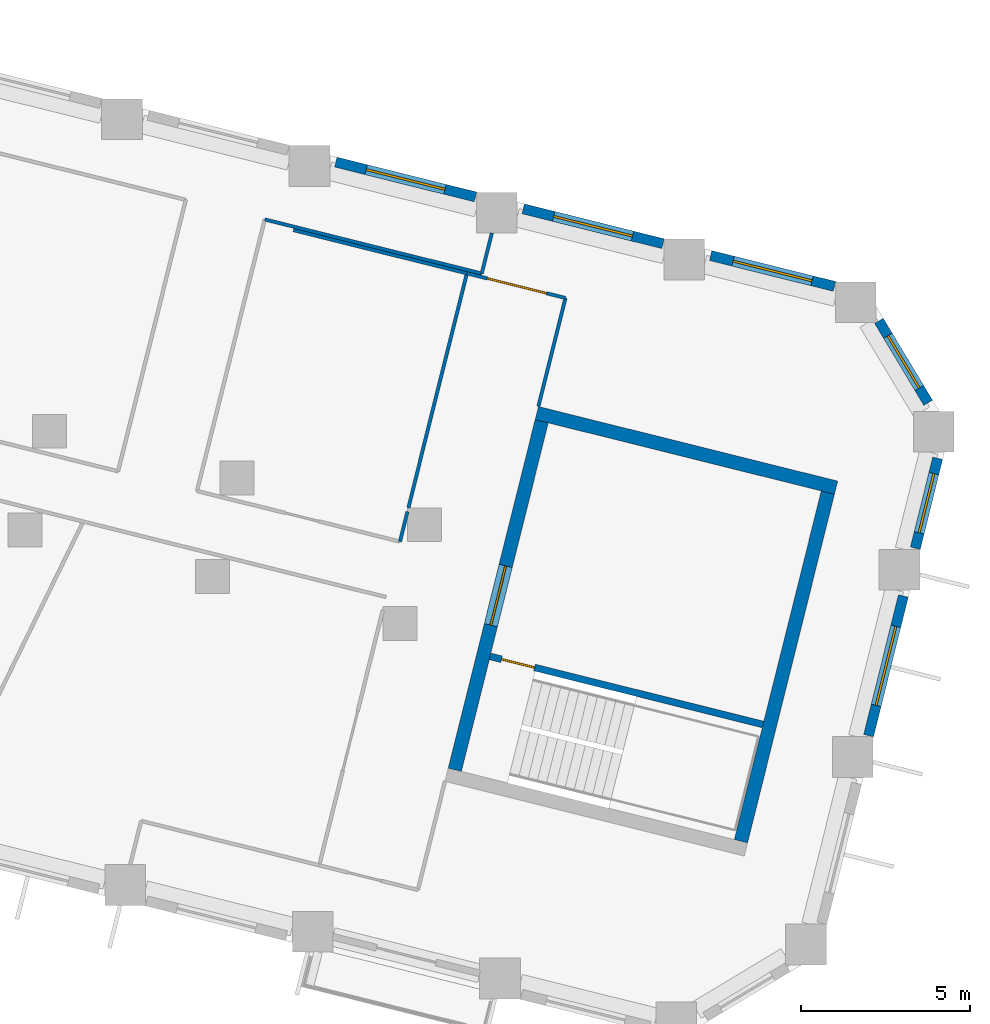
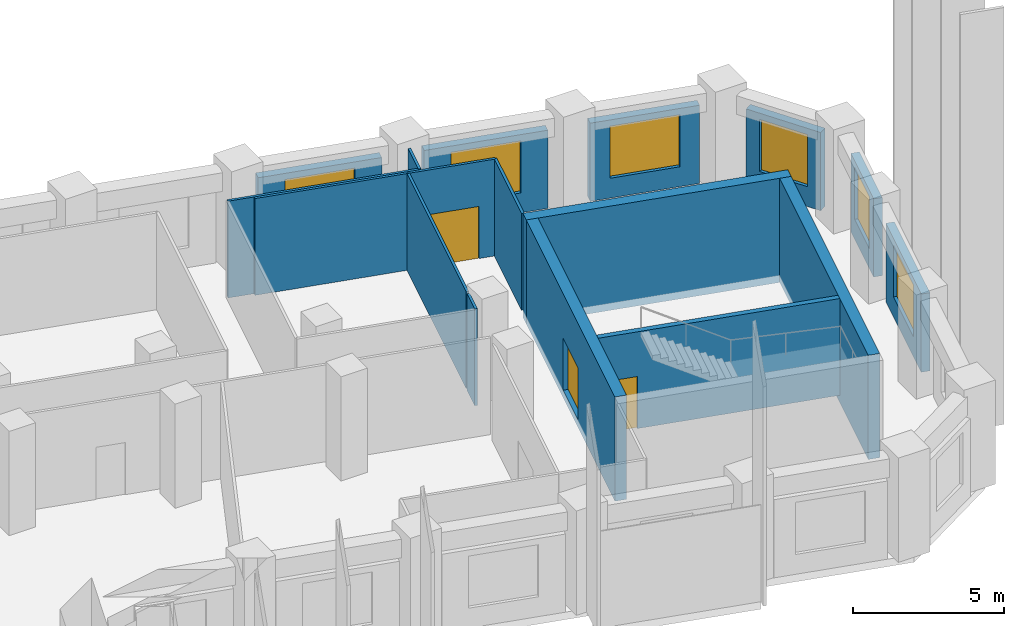
# One storey, part 7 of 10: 17 walls, 6 windows, 3 doors, 9 openings.
"""IFC4 building model written with IfcOpenShell, lengths in metres."""

from ifc_helpers import new_model, si_unit, direction, frame, frame_2d, origin, place, context, subcontext, project, spatial, rectangle, extrude, material, layer, layer_set, type_object, element, fill, save


model = new_model("IFC4")

# Units and contexts
model_context = context("Model", 3, precision=1e-05, world=origin(), true_north=direction((0.0, 1.0)))
body_context = subcontext(model_context, "Body", "Model", "MODEL_VIEW")
ifc_project = project(units=[si_unit("LENGTHUNIT", "METRE"), si_unit("AREAUNIT", "SQUARE_METRE"), si_unit("VOLUMEUNIT", "CUBIC_METRE"), si_unit("PLANEANGLEUNIT", "RADIAN"), si_unit("MASSUNIT", "GRAM", prefix="KILO")], contexts=[model_context])

# Site, building, storey
site_placement = place(None, origin())
site = spatial("IfcSite", under=ifc_project, at=site_placement, CompositionType="ELEMENT")
building_placement = place(site_placement, origin())
building = spatial("IfcBuilding", under=site, at=building_placement, Name="Meshkara Civic Tower", CompositionType="ELEMENT")
storey_placement = place(building_placement, frame((0.0, 0.0, 195.0)))
storey = spatial("IfcBuildingStorey", under=building, at=storey_placement, Name="L44", CompositionType="ELEMENT", Elevation=195.0)

# Walls
ifc_material_1 = material(Name="Corridor wall 100")
ifc_layer_1 = layer(ifc_material_1, 0.10009765625)
ifc_layer_set_1 = layer_set([ifc_layer_1], Name="Corridor wall 100")
wall_type_1 = type_object("IfcWallType", Name="Corridor wall 100", PredefinedType="PARTITIONING", material=ifc_layer_set_1)
wall_1_placement = place(storey_placement, frame((59.68408203125, 6.24609375, 0.0), z_axis=(0.0, 0.0, 1.0), x_axis=(0.970303335351, -0.24189137522, 0.0)))
element("IfcWall", 1, at=wall_1_placement, inside=storey, type_object=wall_type_1, Name="L44-W031", PredefinedType="PARTITIONING", context=body_context, shape_type="SweptSolid", body=[
    extrude(rectangle(XDim=6.598876953125, YDim=0.10009765625, at=frame_2d((3.29931640625, 0.0))), origin(), (0.0, 0.0, 1.0), 3.89990234375),
])
wall_2_placement = place(storey_placement, frame((63.89501953125, -2.37109375, 0.0), z_axis=(0.0, 0.0, 1.0), x_axis=(-0.241969389514, -0.970283883478, 0.0)))
element("IfcWall", 2, at=wall_2_placement, inside=storey, type_object=wall_type_1, Name="L44-W035", PredefinedType="PARTITIONING", context=body_context, shape_type="SweptSolid", body=[
    extrude(rectangle(XDim=0.9130859375, YDim=0.10009765625, at=frame_2d((0.45654296875, 0.0))), origin(), (0.0, 0.0, 1.0), 3.89990234375),
])
wall_3_placement = place(storey_placement, frame((65.64697265625, 4.656982421875, 0.0), z_axis=(0.0, 0.0, 1.0), x_axis=(-0.24192324031, -0.970295391001, 0.0)))
element("IfcWall", 3, at=wall_3_placement, inside=storey, type_object=wall_type_1, Name="L44-W037", PredefinedType="PARTITIONING", context=body_context, shape_type="SweptSolid", body=[
    extrude(rectangle(XDim=7.129638671875, YDim=0.10009765625, at=frame_2d((3.56494140625, 0.0))), origin(), (0.0, 0.0, 1.0), 3.89990234375),
])
wall_4_placement = place(storey_placement, frame((66.0869140625, 4.64990234375, 0.0), z_axis=(0.0, 0.0, 1.0), x_axis=(0.241275920452, 0.970456557611, 0.0)))
element("IfcWall", 4, at=wall_4_placement, inside=storey, type_object=wall_type_1, Name="L44-W038", PredefinedType="PARTITIONING", context=body_context, shape_type="SweptSolid", body=[
    extrude(rectangle(XDim=1.2314453125, YDim=0.10009765625, at=frame_2d((0.61572265625, 0.0))), origin(), (0.0, 0.0, 1.0), 3.89990234375),
])
wall_5_placement = place(storey_placement, frame((67.759033203125, 0.72900390625, 0.0), z_axis=(0.0, 0.0, 1.0), x_axis=(0.241786986316, 0.970329352977, 0.0)))
element("IfcWall", 5, at=wall_5_placement, inside=storey, type_object=wall_type_1, Name="L44-W039", PredefinedType="PARTITIONING", context=body_context, shape_type="SweptSolid", body=[
    extrude(rectangle(XDim=3.2998046875, YDim=0.10009765625, at=frame_2d((1.64990234375, 0.0))), origin(), (0.0, 0.0, 1.0), 3.89990234375),
])

# Wall, opening, door
wall_6_placement = place(storey_placement, frame((68.556884765625, 3.930908203125, 0.0), z_axis=(0.0, 0.0, 1.0), x_axis=(-0.970252534748, 0.242095061527, 0.0)))
wall_6 = element("IfcWall", 6, at=wall_6_placement, inside=storey, type_object=wall_type_1, Name="L44-W040", PredefinedType="PARTITIONING", context=body_context, shape_type="SweptSolid", body=[
    extrude(rectangle(XDim=2.9990234375, YDim=0.10009765625, at=frame_2d((1.49951171875, 0.0))), origin(), (0.0, 0.0, 1.0), 3.89990234375),
])
opening_1_placement = place(wall_6_placement, frame((0.580078125, 0.0, 0.0)))
opening_1 = element("IfcOpeningElement", 7, at=opening_1_placement, cuts=wall_6, Name="Opening L44-D009", PredefinedType="OPENING", context=body_context, shape_type="SweptSolid", body=[
    extrude(rectangle(XDim=1.800048828125, YDim=2.10009765625, at=frame_2d((0.89990234375, 1.050048828125))), frame((0.0, 0.06005859375, 0.0), z_axis=(0.0, -1.0, 0.0), x_axis=(1.0, 0.0, 0.0)), (0.0, 0.0, 1.0), 0.1201171875),
])
ifc_material_2 = material(Name="Door pair 1800 x 2100")
door_type_1 = type_object("IfcDoorType", Name="Door pair 1800 x 2100", OperationType="SINGLE_SWING_LEFT", PredefinedType="DOOR", material=ifc_material_2)
door_1_placement = place(opening_1_placement, origin())
door_1 = element("IfcDoor", 8, at=door_1_placement, inside=storey, type_object=door_type_1, Name="L44-D009", OperationType="DOUBLE_DOOR_SINGLE_SWING", OverallHeight=2.10009765625, OverallWidth=1.800048828125, PredefinedType="DOOR", context=body_context, shape_type="SweptSolid", body=[
    extrude(rectangle(XDim=1.800048828125, YDim=2.10009765625, at=frame_2d((0.89990234375, 1.050048828125))), frame((0.0, 0.02490234375, 0.0), z_axis=(0.0, -1.0, 0.0), x_axis=(1.0, 0.0, 0.0)), (0.0, 0.0, 1.0), 0.050048828125),
])
fill(opening_1, door_1)

# Wall, opening, window
ifc_material_3 = material(Name="Insulated infill panel with bronze anodised aluminium cladding", Category="aluminium")
ifc_layer_2 = layer(ifc_material_3, 0.300048828125)
ifc_layer_set_2 = layer_set([ifc_layer_2], Name="EXTERNAL INFILL WALL 300")
wall_type_2 = type_object("IfcWallType", Name="EXTERNAL INFILL WALL 300", PredefinedType="SOLIDWALL", material=ifc_layer_set_2)
wall_7_placement = place(storey_placement, frame((76.491943359375, 4.27197265625, 0.0), z_axis=(0.0, 0.0, 1.0), x_axis=(-0.970348377394, 0.241710625521, 0.0)))
wall_7 = element("IfcWall", 9, at=wall_7_placement, inside=storey, type_object=wall_type_2, Name="External wall", PredefinedType="SOLIDWALL", context=body_context, shape_type="SweptSolid", body=[
    extrude(rectangle(XDim=3.760498046875, YDim=0.300048828125, at=frame_2d((1.88037109375, 0.0))), origin(), (0.0, 0.0, 1.0), 3.14990234375),
])
opening_2_placement = place(wall_7_placement, frame((0.679931640625, 0.0, 0.800048828125)))
opening_2 = element("IfcOpeningElement", 10, at=opening_2_placement, cuts=wall_7, Name="Opening W7", PredefinedType="OPENING", context=body_context, shape_type="SweptSolid", body=[
    extrude(rectangle(XDim=2.39990234375, YDim=2.10009765625, at=frame_2d((1.199951171875, 1.050048828125))), frame((0.0, 0.159912109375, 0.0), z_axis=(0.0, -1.0, 0.0), x_axis=(1.0, 0.0, 0.0)), (0.0, 0.0, 1.0), 0.320068359375),
])
ifc_material_4 = material(Name="Tinted double glazing", Category="glass")
window_type_1 = type_object("IfcWindowType", Name="WINDOW 2400x2100", PartitioningType="DOUBLE_PANEL_VERTICAL", PredefinedType="WINDOW", material=ifc_material_4)
window_1_placement = place(opening_2_placement, origin())
window_1 = element("IfcWindow", 11, at=window_1_placement, inside=storey, type_object=window_type_1, Name="Window", OverallHeight=2.10009765625, OverallWidth=2.39990234375, PartitioningType="DOUBLE_PANEL_VERTICAL", PredefinedType="WINDOW", context=body_context, shape_type="SweptSolid", body=[
    extrude(rectangle(XDim=2.39990234375, YDim=2.10009765625, at=frame_2d((1.199951171875, 1.050048828125))), frame((0.0, 0.030029296875, 0.0), z_axis=(0.0, -1.0, 0.0), x_axis=(1.0, 0.0, 0.0)), (0.0, 0.0, 1.0), 0.06005859375),
])
fill(opening_2, window_1)

wall_8_placement = place(storey_placement, frame((71.431884765625, 5.532958984375, 0.0), z_axis=(0.0, 0.0, 1.0), x_axis=(-0.970301260502, 0.241899697951, 0.0)))
wall_8 = element("IfcWall", 12, at=wall_8_placement, inside=storey, type_object=wall_type_2, Name="External wall", PredefinedType="SOLIDWALL", context=body_context, shape_type="SweptSolid", body=[
    extrude(rectangle(XDim=4.24609375, YDim=0.300048828125, at=frame_2d((2.123046875, 0.0))), origin(), (0.0, 0.0, 1.0), 3.14990234375),
])
opening_3_placement = place(wall_8_placement, frame((0.923095703125, 0.0, 0.800048828125)))
opening_3 = element("IfcOpeningElement", 13, at=opening_3_placement, cuts=wall_8, Name="Opening W7", PredefinedType="OPENING", context=body_context, shape_type="SweptSolid", body=[
    extrude(rectangle(XDim=2.39990234375, YDim=2.10009765625, at=frame_2d((1.199951171875, 1.050048828125))), frame((0.0, 0.159912109375, 0.0), z_axis=(0.0, -1.0, 0.0), x_axis=(1.0, 0.0, 0.0)), (0.0, 0.0, 1.0), 0.320068359375),
])
window_2_placement = place(opening_3_placement, origin())
window_2 = element("IfcWindow", 14, at=window_2_placement, inside=storey, type_object=window_type_1, Name="Window", OverallHeight=2.10009765625, OverallWidth=2.39990234375, PartitioningType="DOUBLE_PANEL_VERTICAL", PredefinedType="WINDOW", context=body_context, shape_type="SweptSolid", body=[
    extrude(rectangle(XDim=2.39990234375, YDim=2.10009765625, at=frame_2d((1.199951171875, 1.050048828125))), frame((0.0, 0.030029296875, 0.0), z_axis=(0.0, -1.0, 0.0), x_axis=(1.0, 0.0, 0.0)), (0.0, 0.0, 1.0), 0.06005859375),
])
fill(opening_3, window_2)

wall_9_placement = place(storey_placement, frame((65.90087890625, 6.912109375, 0.0), z_axis=(0.0, 0.0, 1.0), x_axis=(-0.970260760633, 0.242062091986, 0.0)))
wall_9 = element("IfcWall", 15, at=wall_9_placement, inside=storey, type_object=wall_type_2, Name="External wall", PredefinedType="SOLIDWALL", context=body_context, shape_type="SweptSolid", body=[
    extrude(rectangle(XDim=4.24609375, YDim=0.300048828125, at=frame_2d((2.123046875, 0.0))), origin(), (0.0, 0.0, 1.0), 3.14990234375),
])
opening_4_placement = place(wall_9_placement, frame((0.923095703125, 0.0, 0.800048828125)))
opening_4 = element("IfcOpeningElement", 16, at=opening_4_placement, cuts=wall_9, Name="Opening W7", PredefinedType="OPENING", context=body_context, shape_type="SweptSolid", body=[
    extrude(rectangle(XDim=2.39990234375, YDim=2.10009765625, at=frame_2d((1.199951171875, 1.050048828125))), frame((0.0, 0.159912109375, 0.0), z_axis=(0.0, -1.0, 0.0), x_axis=(1.0, 0.0, 0.0)), (0.0, 0.0, 1.0), 0.320068359375),
])
window_3_placement = place(opening_4_placement, origin())
window_3 = element("IfcWindow", 17, at=window_3_placement, inside=storey, type_object=window_type_1, Name="Window", OverallHeight=2.10009765625, OverallWidth=2.39990234375, PartitioningType="DOUBLE_PANEL_VERTICAL", PredefinedType="WINDOW", context=body_context, shape_type="SweptSolid", body=[
    extrude(rectangle(XDim=2.39990234375, YDim=2.10009765625, at=frame_2d((1.199951171875, 1.050048828125))), frame((0.0, 0.030029296875, 0.0), z_axis=(0.0, -1.0, 0.0), x_axis=(1.0, 0.0, 0.0)), (0.0, 0.0, 1.0), 0.06005859375),
])
fill(opening_4, window_3)

wall_10_placement = place(storey_placement, frame((77.5, -8.98095703125, 0.0), z_axis=(0.0, 0.0, 1.0), x_axis=(0.241682938765, 0.970355273655, 0.0)))
wall_10 = element("IfcWall", 18, at=wall_10_placement, inside=storey, type_object=wall_type_2, Name="External wall", PredefinedType="SOLIDWALL", context=body_context, shape_type="SweptSolid", body=[
    extrude(rectangle(XDim=4.24462890625, YDim=0.300048828125, at=frame_2d((2.122314453125, 0.0))), origin(), (0.0, 0.0, 1.0), 3.14990234375),
])
opening_5_placement = place(wall_10_placement, frame((0.922119140625, 0.0, 0.800048828125)))
opening_5 = element("IfcOpeningElement", 19, at=opening_5_placement, cuts=wall_10, Name="Opening W7", PredefinedType="OPENING", context=body_context, shape_type="SweptSolid", body=[
    extrude(rectangle(XDim=2.39990234375, YDim=2.10009765625, at=frame_2d((1.199951171875, 1.050048828125))), frame((0.0, 0.159912109375, 0.0), z_axis=(0.0, -1.0, 0.0), x_axis=(1.0, 0.0, 0.0)), (0.0, 0.0, 1.0), 0.320068359375),
])
window_4_placement = place(opening_5_placement, origin())
window_4 = element("IfcWindow", 20, at=window_4_placement, inside=storey, type_object=window_type_1, Name="Window", OverallHeight=2.10009765625, OverallWidth=2.39990234375, PartitioningType="DOUBLE_PANEL_VERTICAL", PredefinedType="WINDOW", context=body_context, shape_type="SweptSolid", body=[
    extrude(rectangle(XDim=2.39990234375, YDim=2.10009765625, at=frame_2d((1.199951171875, 1.050048828125))), frame((0.0, 0.030029296875, 0.0), z_axis=(0.0, -1.0, 0.0), x_axis=(1.0, 0.0, 0.0)), (0.0, 0.0, 1.0), 0.06005859375),
])
fill(opening_5, window_4)

wall_11_placement = place(storey_placement, frame((78.8779296875, -3.450927734375, 0.0), z_axis=(0.0, 0.0, 1.0), x_axis=(0.24190501074, 0.970299935988, 0.0)))
wall_11 = element("IfcWall", 21, at=wall_11_placement, inside=storey, type_object=wall_type_2, Name="External wall", PredefinedType="SOLIDWALL", context=body_context, shape_type="SweptSolid", body=[
    extrude(rectangle(XDim=2.73291015625, YDim=0.300048828125, at=frame_2d((1.366455078125, 0.0))), origin(), (0.0, 0.0, 1.0), 3.14990234375),
])
opening_6_placement = place(wall_11_placement, frame((0.466064453125, 0.0, 0.800048828125)))
opening_6 = element("IfcOpeningElement", 22, at=opening_6_placement, cuts=wall_11, Name="Opening W9", PredefinedType="OPENING", context=body_context, shape_type="SweptSolid", body=[
    extrude(rectangle(XDim=1.800048828125, YDim=2.10009765625, at=frame_2d((0.89990234375, 1.050048828125))), frame((0.0, 0.159912109375, 0.0), z_axis=(0.0, -1.0, 0.0), x_axis=(1.0, 0.0, 0.0)), (0.0, 0.0, 1.0), 0.320068359375),
])
ifc_material_5 = material(Name="Tinted double glazing", Category="glass")
window_type_2 = type_object("IfcWindowType", Name="WINDOW 1800x2100", PartitioningType="DOUBLE_PANEL_VERTICAL", PredefinedType="WINDOW", material=ifc_material_5)
window_5_placement = place(opening_6_placement, origin())
window_5 = element("IfcWindow", 23, at=window_5_placement, inside=storey, type_object=window_type_2, Name="Window", OverallHeight=2.10009765625, OverallWidth=1.800048828125, PartitioningType="DOUBLE_PANEL_VERTICAL", PredefinedType="WINDOW", context=body_context, shape_type="SweptSolid", body=[
    extrude(rectangle(XDim=1.800048828125, YDim=2.10009765625, at=frame_2d((0.89990234375, 1.050048828125))), frame((0.0, 0.030029296875, 0.0), z_axis=(0.0, -1.0, 0.0), x_axis=(1.0, 0.0, 0.0)), (0.0, 0.0, 1.0), 0.06005859375),
])
fill(opening_6, window_5)

wall_12_placement = place(storey_placement, frame((79.257080078125, 0.839111328125, 0.0), z_axis=(0.0, 0.0, 1.0), x_axis=(-0.514992914014, 0.857194434487, 0.0)))
wall_12 = element("IfcWall", 24, at=wall_12_placement, inside=storey, type_object=wall_type_2, Name="External wall", PredefinedType="SOLIDWALL", context=body_context, shape_type="SweptSolid", body=[
    extrude(rectangle(XDim=2.81591796875, YDim=0.300048828125, at=frame_2d((1.407958984375, 0.0))), origin(), (0.0, 0.0, 1.0), 3.14990234375),
])
opening_7_placement = place(wall_12_placement, frame((0.508056640625, 0.0, 0.800048828125)))
opening_7 = element("IfcOpeningElement", 25, at=opening_7_placement, cuts=wall_12, Name="Opening W9", PredefinedType="OPENING", context=body_context, shape_type="SweptSolid", body=[
    extrude(rectangle(XDim=1.800048828125, YDim=2.10009765625, at=frame_2d((0.89990234375, 1.050048828125))), frame((0.0, 0.159912109375, 0.0), z_axis=(0.0, -1.0, 0.0), x_axis=(1.0, 0.0, 0.0)), (0.0, 0.0, 1.0), 0.320068359375),
])
window_6_placement = place(opening_7_placement, origin())
window_6 = element("IfcWindow", 26, at=window_6_placement, inside=storey, type_object=window_type_2, Name="Window", OverallHeight=2.10009765625, OverallWidth=1.800048828125, PartitioningType="DOUBLE_PANEL_VERTICAL", PredefinedType="WINDOW", context=body_context, shape_type="SweptSolid", body=[
    extrude(rectangle(XDim=1.800048828125, YDim=2.10009765625, at=frame_2d((0.89990234375, 1.050048828125))), frame((0.0, 0.030029296875, 0.0), z_axis=(0.0, -1.0, 0.0), x_axis=(1.0, 0.0, 0.0)), (0.0, 0.0, 1.0), 0.06005859375),
])
fill(opening_7, window_6)

# Wall
ifc_material_6 = material(Name="Concrete C70", Category="concrete")
ifc_layer_3 = layer(ifc_material_6, 0.39990234375)
ifc_layer_set_3 = layer_set([ifc_layer_3], Name="End core ring wall 400 C70")
wall_type_3 = type_object("IfcWallType", Name="End core ring wall 400 C70", PredefinedType="SHEAR", material=ifc_layer_set_3)
wall_13_placement = place(storey_placement, frame((67.7109375, 0.534912109375, -0.300048828125), z_axis=(0.0, 0.0, 1.0), x_axis=(0.970306418893, -0.241879005816, 0.0)))
element("IfcWall", 27, at=wall_13_placement, inside=storey, type_object=wall_type_3, Name="L44-C029", PredefinedType="SHEAR", context=body_context, shape_type="SweptSolid", body=[
    extrude(rectangle(XDim=9.099365234375, YDim=0.39990234375, at=frame_2d((4.5498046875, 0.0))), origin(), (0.0, 0.0, 1.0), 4.199951171875),
])

# Wall, opening, door
wall_14_placement = place(storey_placement, frame((65.2919921875, -9.991943359375, -0.300048828125), z_axis=(0.0, 0.0, 1.0), x_axis=(0.241890652548, 0.970303515509, 0.0)))
wall_14 = element("IfcWall", 28, at=wall_14_placement, inside=storey, type_object=wall_type_3, Name="L44-C030", PredefinedType="SHEAR", context=body_context, shape_type="SweptSolid", body=[
    extrude(rectangle(XDim=10.599609375, YDim=0.39990234375, at=frame_2d((5.2998046875, 0.0))), origin(), (0.0, 0.0, 1.0), 4.199951171875),
])
opening_8_placement = place(wall_14_placement, frame((4.39990234375, 0.0, 0.300048828125)))
opening_8 = element("IfcOpeningElement", 29, at=opening_8_placement, cuts=wall_14, Name="Opening L44-K202", PredefinedType="OPENING", context=body_context, shape_type="SweptSolid", body=[
    extrude(rectangle(XDim=1.800048828125, YDim=2.10009765625, at=frame_2d((0.89990234375, 1.050048828125))), frame((0.0, 0.2099609375, 0.0), z_axis=(0.0, -1.0, 0.0), x_axis=(1.0, 0.0, 0.0)), (0.0, 0.0, 1.0), 0.419921875),
])
ifc_material_7 = material(Name="Fire-rated door leaf in steel frame", Category="steel")
door_type_2 = type_object("IfcDoorType", Name="Core double door 1800 EI 60", OperationType="DOUBLE_DOOR_SINGLE_SWING", PredefinedType="DOOR", material=ifc_material_7)
door_2_placement = place(opening_8_placement, origin())
door_2 = element("IfcDoor", 30, at=door_2_placement, inside=storey, type_object=door_type_2, Name="L44-K202", OperationType="DOUBLE_DOOR_SINGLE_SWING", OverallHeight=2.10009765625, OverallWidth=1.800048828125, PredefinedType="DOOR", context=body_context, shape_type="SweptSolid", body=[
    extrude(rectangle(XDim=1.800048828125, YDim=2.10009765625, at=frame_2d((0.89990234375, 1.050048828125))), frame((0.0, 0.02490234375, 0.0), z_axis=(0.0, -1.0, 0.0), x_axis=(1.0, 0.0, 0.0)), (0.0, 0.0, 1.0), 0.050048828125),
])
fill(opening_8, door_2)

# Walls
wall_15_placement = place(storey_placement, frame((73.73388671875, -12.096923828125, -0.300048828125), z_axis=(0.0, 0.0, 1.0), x_axis=(0.241912337509, 0.970298109326, 0.0)))
element("IfcWall", 31, at=wall_15_placement, inside=storey, type_object=wall_type_3, Name="L44-C031", PredefinedType="SHEAR", context=body_context, shape_type="SweptSolid", body=[
    extrude(rectangle(XDim=10.599853515625, YDim=0.39990234375, at=frame_2d((5.2998046875, 0.0))), origin(), (0.0, 0.0, 1.0), 4.199951171875),
])
ifc_material_8 = material(Name="Partition 100")
ifc_layer_4 = layer(ifc_material_8, 0.10009765625)
ifc_layer_set_4 = layer_set([ifc_layer_4], Name="Partition 100")
wall_type_4 = type_object("IfcWallType", Name="Partition 100", PredefinedType="PARTITIONING", material=ifc_layer_set_4)
wall_16_placement = place(storey_placement, frame((65.65087890625, 4.656005859375, 0.0), z_axis=(0.0, 0.0, 1.0), x_axis=(-0.970313758944, 0.241849559033, 0.0)))
element("IfcWall", 32, at=wall_16_placement, inside=storey, type_object=wall_type_4, Name="L44-W059", PredefinedType="PARTITIONING", context=body_context, shape_type="SweptSolid", body=[
    extrude(rectangle(XDim=5.275390625, YDim=0.10009765625, at=frame_2d((2.6376953125, 0.0))), origin(), (0.0, 0.0, 1.0), 3.89990234375),
])

# Wall, opening, door
ifc_material_9 = material(Name="Concrete C40/50", Category="concrete")
ifc_layer_5 = layer(ifc_material_9, 0.199951171875)
ifc_layer_set_5 = layer_set([ifc_layer_5], Name="Stair enclosure wall 200 C40/50")
wall_type_5 = type_object("IfcWallType", Name="Stair enclosure wall 200 C40/50", PredefinedType="SOLIDWALL", material=ifc_layer_set_5)
wall_17_placement = place(storey_placement, frame((66.3330078125, -6.64501953125, 0.0), z_axis=(0.0, 0.0, 1.0), x_axis=(0.970289402158, -0.241947258837, 0.0)))
wall_17 = element("IfcWall", 33, at=wall_17_placement, inside=storey, type_object=wall_type_5, Name="L44-C032", PredefinedType="SOLIDWALL", context=body_context, shape_type="SweptSolid", body=[
    extrude(rectangle(XDim=8.299560546875, YDim=0.199951171875, at=frame_2d((4.14990234375, 0.0))), origin(), (0.0, 0.0, 1.0), 3.89990234375),
])
opening_9_placement = place(wall_17_placement, frame((0.35009765625, 0.0, 0.0)))
opening_9 = element("IfcOpeningElement", 34, at=opening_9_placement, cuts=wall_17, Name="Opening L44-K201", PredefinedType="OPENING", context=body_context, shape_type="SweptSolid", body=[
    extrude(rectangle(XDim=1.0, YDim=2.10009765625, at=frame_2d((0.5, 1.050048828125))), frame((0.0, 0.10986328125, 0.0), z_axis=(0.0, -1.0, 0.0), x_axis=(1.0, 0.0, 0.0)), (0.0, 0.0, 1.0), 0.219970703125),
])
ifc_material_10 = material(Name="Fire-rated door leaf in steel frame", Category="steel")
door_type_3 = type_object("IfcDoorType", Name="Stair door 1000 EI 120", OperationType="SINGLE_SWING_LEFT", PredefinedType="DOOR", material=ifc_material_10)
door_3_placement = place(opening_9_placement, origin())
door_3 = element("IfcDoor", 35, at=door_3_placement, inside=storey, type_object=door_type_3, Name="L44-K201", OperationType="SINGLE_SWING_LEFT", OverallHeight=2.10009765625, OverallWidth=1.0, PredefinedType="DOOR", context=body_context, shape_type="SweptSolid", body=[
    extrude(rectangle(XDim=1.0, YDim=2.10009765625, at=frame_2d((0.5, 1.050048828125))), frame((0.0, 0.02490234375, 0.0), z_axis=(0.0, -1.0, 0.0), x_axis=(1.0, 0.0, 0.0)), (0.0, 0.0, 1.0), 0.050048828125),
])
fill(opening_9, door_3)

save(model, "model.ifc")
